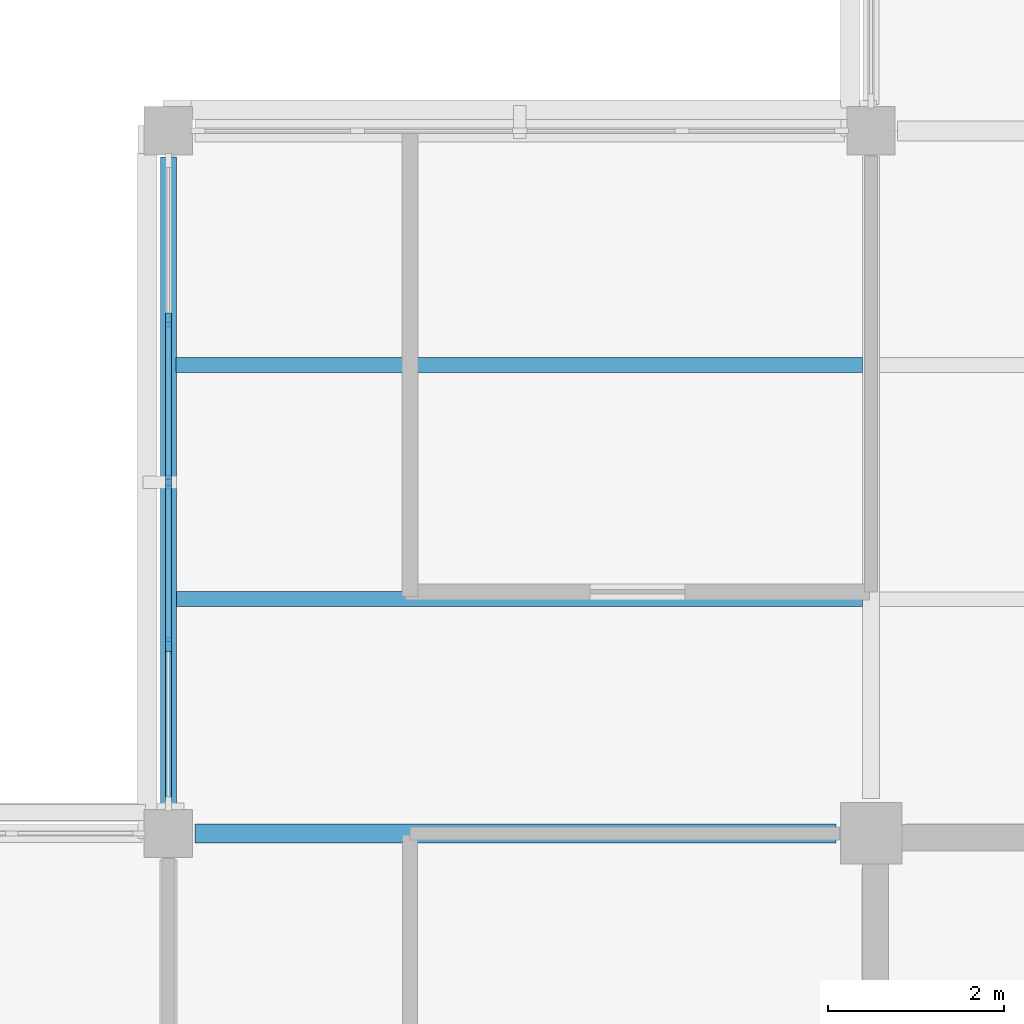
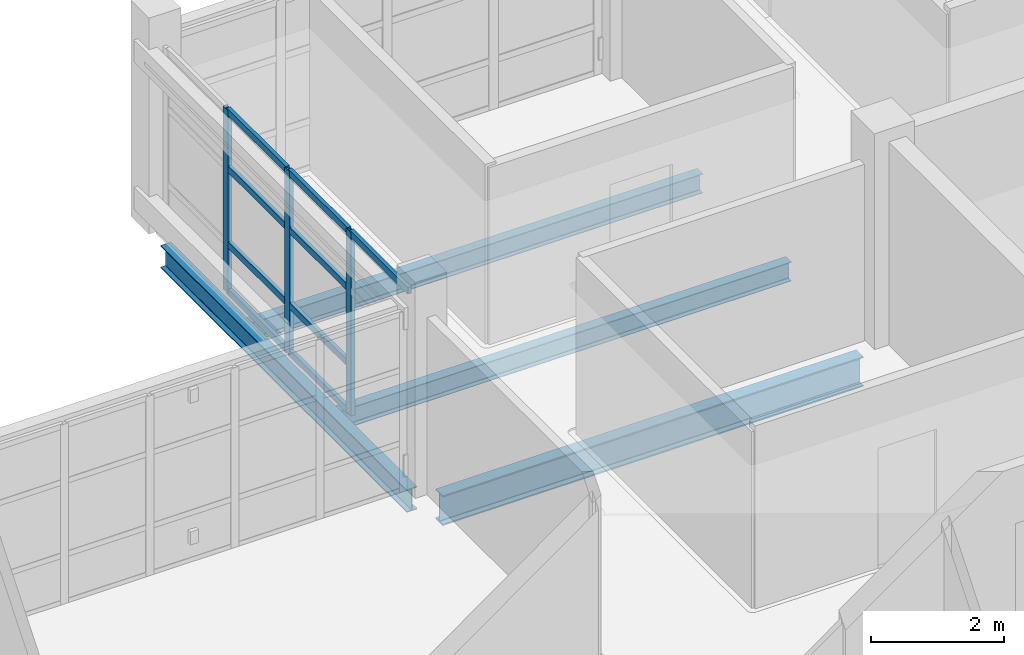
# One storey, part 17 of 107: 12 members, 4 beams, 1 element without a shape of its own.
"""IFC4 building model written with IfcOpenShell, lengths in metres."""

from ifc_helpers import new_model, si_unit, derived_unit, direction, frame, origin, origin_2d, place, context, subcontext, project, spatial, rectangle, i_section, extrude, material, layer, layer_set, material_profile, profile_set, type_object, element, aggregate, save


model = new_model("IFC4")

# Units and contexts
model_context = context("Model", 3, precision=1e-05, world=origin(), true_north=direction((0.0, 1.0)))
body_context = subcontext(model_context, "Body", "Model", "MODEL_VIEW")
ifc_project = project(units=[si_unit("LENGTHUNIT", "METRE"), si_unit("AREAUNIT", "SQUARE_METRE"), si_unit("VOLUMEUNIT", "CUBIC_METRE"), si_unit("PLANEANGLEUNIT", "RADIAN"), si_unit("MASSUNIT", "GRAM", prefix="KILO"), derived_unit("THERMALTRANSMITTANCEUNIT", [(si_unit("MASSUNIT", "GRAM", prefix="KILO"), 1), (si_unit("TIMEUNIT", "SECOND"), -3), (si_unit("THERMODYNAMICTEMPERATUREUNIT", "KELVIN"), -1)])], contexts=[model_context])

# Site, building, storey
site_placement = place(None, origin())
site = spatial("IfcSite", under=ifc_project, at=site_placement, CompositionType="ELEMENT")
building_placement = place(site_placement, origin())
building = spatial("IfcBuilding", under=site, at=building_placement, Name="Veyamyaing Civic Hall", CompositionType="ELEMENT")
storey_placement = place(building_placement, frame((0.0, 0.0, 13.860107421875)))
storey = spatial("IfcBuildingStorey", under=building, at=storey_placement, Name="L03", CompositionType="ELEMENT", Elevation=13.860107421875)

# Beams
ifc_material_1 = material(Name="Steel ASTM A992", Category="steel")
ifc_material_profile_1 = material_profile(ifc_material_1, i_section(OverallWidth=0.214111328125, OverallDepth=0.549072265625, WebThickness=0.0146484375, FlangeThickness=0.023681640625, FilletRadius=0.011962890625, at=origin_2d()), Name="W530X138")
ifc_profile_set_1 = profile_set([ifc_material_profile_1], Name="Steel ASTM A992")
beam_type_1 = type_object("IfcBeamType", Name="B-16", PredefinedType="BEAM", material=ifc_profile_set_1)
beam_1_placement = place(storey_placement, frame((56.300048828125, 56.0, -0.529541015625), z_axis=(1.0, 0.0, 0.0), x_axis=(0.0, 1.0, 0.0)))
element("IfcBeam", 1, at=beam_1_placement, inside=storey, type_object=beam_type_1, Name="Girder B-16 L03 Grid H 8-9", PredefinedType="BEAM", context=body_context, shape_type="SweptSolid", body=[
    extrude(i_section(OverallWidth=0.214111328125, OverallDepth=0.549072265625, WebThickness=0.0146484375, FlangeThickness=0.023681640625, FilletRadius=0.011962890625, at=origin_2d()), origin(), (0.0, 0.0, 1.0), 7.300048828125),
])
ifc_material_profile_2 = material_profile(ifc_material_1, i_section(OverallWidth=0.180908203125, OverallDepth=0.4169921875, WebThickness=0.010986328125, FlangeThickness=0.018310546875, FilletRadius=0.010009765625, at=origin_2d()), Name="W410X85")
ifc_profile_set_2 = profile_set([ifc_material_profile_2], Name="Steel ASTM A992")
beam_type_2 = type_object("IfcBeamType", Name="B-19", PredefinedType="SPANDREL", material=ifc_profile_set_2)
beam_2_placement = place(storey_placement, frame((56.0, 56.300048828125, -0.463623046875), z_axis=(0.0, 1.0, 0.0), x_axis=(-1.0, 0.0, 0.0)))
element("IfcBeam", 2, at=beam_2_placement, inside=storey, type_object=beam_type_2, Name="Girder B-19 L03 Grid 8 H-J", PredefinedType="SPANDREL", context=body_context, shape_type="SweptSolid", body=[
    extrude(i_section(OverallWidth=0.180908203125, OverallDepth=0.4169921875, WebThickness=0.010986328125, FlangeThickness=0.018310546875, FilletRadius=0.010009765625, at=origin_2d()), origin(), (0.0, 0.0, 1.0), 7.39990234375),
])

# Curtain wall, members
ifc_material_2 = material(Name="Anodised aluminium 6063-T6", Category="aluminium")
ifc_layer = layer(ifc_material_2, 0.159912109375, Name="Anodised aluminium 6063-T6")
ifc_layer_set = layer_set([ifc_layer], Name="Anodised aluminium 6063-T6")
curtain_wall_type = type_object("IfcCurtainWallType", Name="CW-07", PredefinedType="NOTDEFINED", material=ifc_layer_set)
curtain_wall_placement = place(storey_placement, origin())
curtain_wall = element("IfcCurtainWall", 3, at=curtain_wall_placement, inside=storey, type_object=curtain_wall_type, Name="Unitized curtain wall CW-07 L03 W 8.8", PredefinedType="NOTDEFINED")
ifc_material_profile_3 = material_profile(ifc_material_2, rectangle(XDim=0.06494140625, YDim=0.159912109375, at=origin_2d()), Name="ALU-MUL-65X160")
ifc_profile_set_3 = profile_set([ifc_material_profile_3], Name="Anodised aluminium 6063-T6")
member_type_1 = type_object("IfcMemberType", Name="CWM-01", PredefinedType="MULLION", material=ifc_profile_set_3)
member_1_placement = place(storey_placement, frame((56.0, 58.152587890625, 0.0), z_axis=(0.0, 0.0, 1.0), x_axis=(-1.0, 0.0, 0.0)))
member_1 = element("IfcMember", 4, at=member_1_placement, type_object=member_type_1, Name="CW-07 mullion 2", PredefinedType="MULLION", context=body_context, shape_type="SweptSolid", body=[
    extrude(rectangle(XDim=0.06494140625, YDim=0.159912109375, at=origin_2d()), origin(), (0.0, 0.0, 1.0), 3.364013671875),
])
member_2_placement = place(storey_placement, frame((56.0, 60.0, 0.0), z_axis=(0.0, 0.0, 1.0), x_axis=(-1.0, 0.0, 0.0)))
member_2 = element("IfcMember", 5, at=member_2_placement, type_object=member_type_1, Name="CW-07 mullion 3", PredefinedType="MULLION", context=body_context, shape_type="SweptSolid", body=[
    extrude(rectangle(XDim=0.06494140625, YDim=0.159912109375, at=origin_2d()), origin(), (0.0, 0.0, 1.0), 3.364013671875),
])
member_3_placement = place(storey_placement, frame((56.0, 61.847412109375, 0.0), z_axis=(0.0, 0.0, 1.0), x_axis=(-1.0, 0.0, 0.0)))
member_3 = element("IfcMember", 6, at=member_3_placement, type_object=member_type_1, Name="CW-07 mullion 4", PredefinedType="MULLION", context=body_context, shape_type="SweptSolid", body=[
    extrude(rectangle(XDim=0.06494140625, YDim=0.159912109375, at=origin_2d()), origin(), (0.0, 0.0, 1.0), 3.364013671875),
])
ifc_material_profile_4 = material_profile(ifc_material_2, rectangle(XDim=0.06494140625, YDim=0.1201171875, at=origin_2d()), Name="ALU-TRN-65X120")
ifc_profile_set_4 = profile_set([ifc_material_profile_4], Name="Anodised aluminium 6063-T6")
member_type_2 = type_object("IfcMemberType", Name="CWT-01", PredefinedType="USERDEFINED", material=ifc_profile_set_4)
member_4_placement = place(storey_placement, frame((56.0, 56.3701171875, 3.331298828125), z_axis=(0.0, 1.0, 0.0), x_axis=(-1.0, 0.0, 0.0)))
member_4 = element("IfcMember", 7, at=member_4_placement, type_object=member_type_2, Name="CW-07 transom 1.4", ObjectType="TRANSOM", PredefinedType="USERDEFINED", context=body_context, shape_type="SweptSolid", body=[
    extrude(rectangle(XDim=0.06494140625, YDim=0.1201171875, at=origin_2d()), origin(), (0.0, 0.0, 1.0), 1.75),
])
member_5_placement = place(storey_placement, frame((56.0, 58.18505859375, 0.032470703125), z_axis=(0.0, 1.0, 0.0), x_axis=(-1.0, 0.0, 0.0)))
member_5 = element("IfcMember", 8, at=member_5_placement, type_object=member_type_2, Name="CW-07 transom 2.1", ObjectType="TRANSOM", PredefinedType="USERDEFINED", context=body_context, shape_type="SweptSolid", body=[
    extrude(rectangle(XDim=0.06494140625, YDim=0.1201171875, at=origin_2d()), origin(), (0.0, 0.0, 1.0), 1.782470703125),
])
member_6_placement = place(storey_placement, frame((56.0, 58.18505859375, 0.89990234375), z_axis=(0.0, 1.0, 0.0), x_axis=(-1.0, 0.0, 0.0)))
member_6 = element("IfcMember", 9, at=member_6_placement, type_object=member_type_2, Name="CW-07 transom 2.2", ObjectType="TRANSOM", PredefinedType="USERDEFINED", context=body_context, shape_type="SweptSolid", body=[
    extrude(rectangle(XDim=0.06494140625, YDim=0.1201171875, at=origin_2d()), origin(), (0.0, 0.0, 1.0), 1.782470703125),
])
member_7_placement = place(storey_placement, frame((56.0, 58.18505859375, 2.287353515625), z_axis=(0.0, 1.0, 0.0), x_axis=(-1.0, 0.0, 0.0)))
member_7 = element("IfcMember", 10, at=member_7_placement, type_object=member_type_2, Name="CW-07 transom 2.3", ObjectType="TRANSOM", PredefinedType="USERDEFINED", context=body_context, shape_type="SweptSolid", body=[
    extrude(rectangle(XDim=0.06494140625, YDim=0.1201171875, at=origin_2d()), origin(), (0.0, 0.0, 1.0), 1.782470703125),
])
member_8_placement = place(storey_placement, frame((56.0, 58.18505859375, 3.331298828125), z_axis=(0.0, 1.0, 0.0), x_axis=(-1.0, 0.0, 0.0)))
member_8 = element("IfcMember", 11, at=member_8_placement, type_object=member_type_2, Name="CW-07 transom 2.4", ObjectType="TRANSOM", PredefinedType="USERDEFINED", context=body_context, shape_type="SweptSolid", body=[
    extrude(rectangle(XDim=0.06494140625, YDim=0.1201171875, at=origin_2d()), origin(), (0.0, 0.0, 1.0), 1.782470703125),
])
member_9_placement = place(storey_placement, frame((56.0, 60.032470703125, 0.032470703125), z_axis=(0.0, 1.0, 0.0), x_axis=(-1.0, 0.0, 0.0)))
member_9 = element("IfcMember", 12, at=member_9_placement, type_object=member_type_2, Name="CW-07 transom 3.1", ObjectType="TRANSOM", PredefinedType="USERDEFINED", context=body_context, shape_type="SweptSolid", body=[
    extrude(rectangle(XDim=0.06494140625, YDim=0.1201171875, at=origin_2d()), origin(), (0.0, 0.0, 1.0), 1.782470703125),
])
member_10_placement = place(storey_placement, frame((56.0, 60.032470703125, 0.89990234375), z_axis=(0.0, 1.0, 0.0), x_axis=(-1.0, 0.0, 0.0)))
member_10 = element("IfcMember", 13, at=member_10_placement, type_object=member_type_2, Name="CW-07 transom 3.2", ObjectType="TRANSOM", PredefinedType="USERDEFINED", context=body_context, shape_type="SweptSolid", body=[
    extrude(rectangle(XDim=0.06494140625, YDim=0.1201171875, at=origin_2d()), origin(), (0.0, 0.0, 1.0), 1.782470703125),
])
member_11_placement = place(storey_placement, frame((56.0, 60.032470703125, 2.287353515625), z_axis=(0.0, 1.0, 0.0), x_axis=(-1.0, 0.0, 0.0)))
member_11 = element("IfcMember", 14, at=member_11_placement, type_object=member_type_2, Name="CW-07 transom 3.3", ObjectType="TRANSOM", PredefinedType="USERDEFINED", context=body_context, shape_type="SweptSolid", body=[
    extrude(rectangle(XDim=0.06494140625, YDim=0.1201171875, at=origin_2d()), origin(), (0.0, 0.0, 1.0), 1.782470703125),
])
member_12_placement = place(storey_placement, frame((56.0, 60.032470703125, 3.331298828125), z_axis=(0.0, 1.0, 0.0), x_axis=(-1.0, 0.0, 0.0)))
member_12 = element("IfcMember", 15, at=member_12_placement, type_object=member_type_2, Name="CW-07 transom 3.4", ObjectType="TRANSOM", PredefinedType="USERDEFINED", context=body_context, shape_type="SweptSolid", body=[
    extrude(rectangle(XDim=0.06494140625, YDim=0.1201171875, at=origin_2d()), origin(), (0.0, 0.0, 1.0), 1.782470703125),
])
aggregate(curtain_wall, [member_1, member_2, member_3, member_4, member_5, member_6, member_7, member_8, member_9, member_10, member_11, member_12])

# Beams
ifc_material_profile_5 = material_profile(ifc_material_1, i_section(OverallWidth=0.1708984375, OverallDepth=0.35205078125, WebThickness=0.0068359375, FlangeThickness=0.009765625, FilletRadius=0.010009765625, at=origin_2d()), Name="W360X44")
ifc_profile_set_5 = profile_set([ifc_material_profile_5], Name="Steel ASTM A992")
beam_type_3 = type_object("IfcBeamType", Name="J-03", PredefinedType="JOIST", material=ifc_profile_set_5)
for number, where, z_axis, x_axis, name in (
    (16, (56.08837890625, 58.666748046875, -0.43115234375), (1.0, 0.0, 0.0), (0.0, 1.0, 0.0), "Composite floor joist J-03 L03 8.8.1"),
    (17, (56.08837890625, 61.333251953125, -0.43115234375), (1.0, 0.0, 0.0), (0.0, 1.0, 0.0), "Composite floor joist J-03 L03 8.8.2"),
):
    element("IfcBeam", number, at=place(storey_placement, frame(where, z_axis=z_axis, x_axis=x_axis)), inside=storey, type_object=beam_type_3, Name=name, PredefinedType="JOIST", context=body_context, shape_type="SweptSolid", body=[
        extrude(i_section(OverallWidth=0.1708984375, OverallDepth=0.35205078125, WebThickness=0.0068359375, FlangeThickness=0.009765625, FilletRadius=0.010009765625, at=origin_2d()), origin(), (0.0, 0.0, 1.0), 7.816650390625),
    ])

save(model, "model.ifc")
